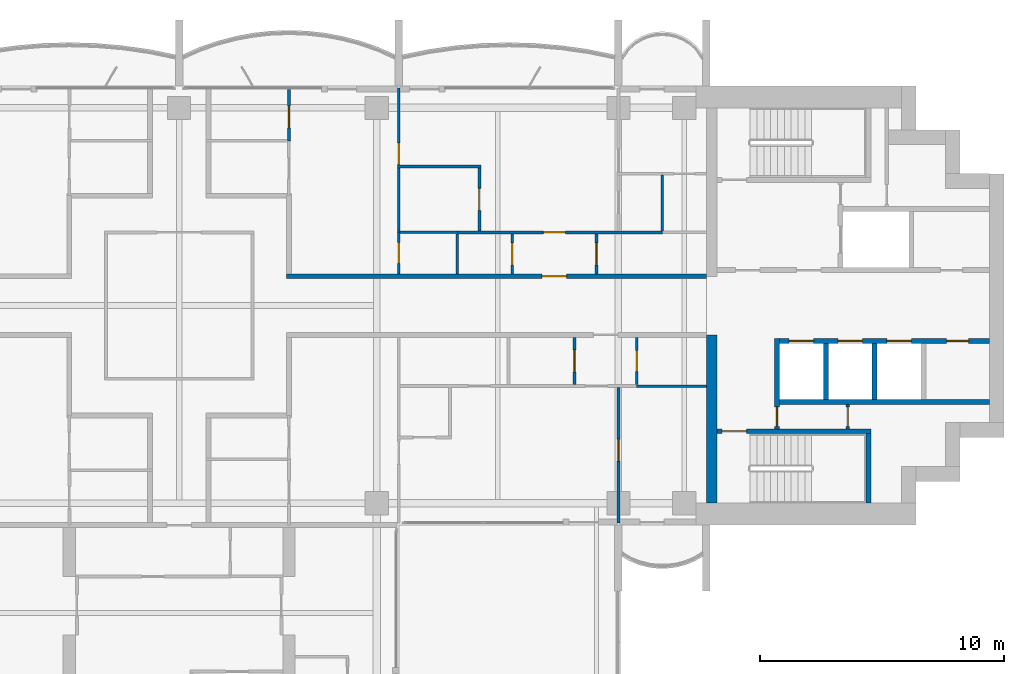
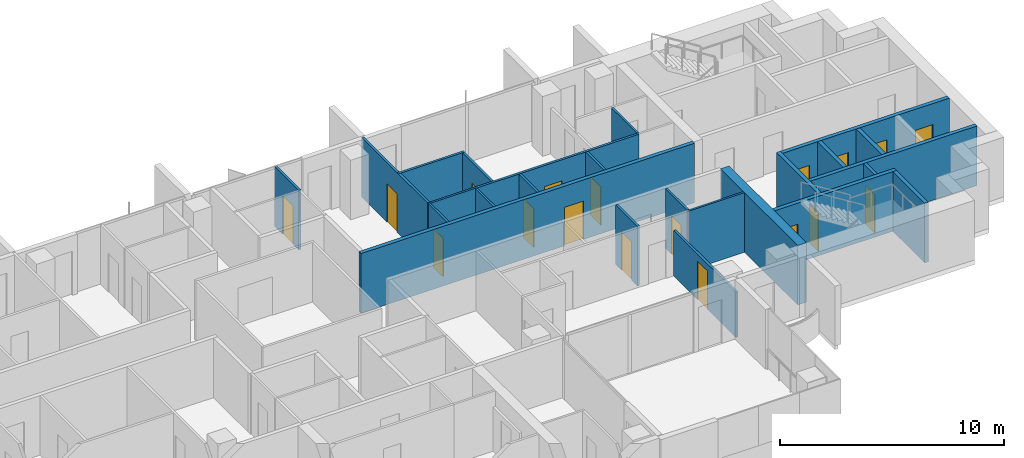
# One storey, part 12 of 18: 25 walls, 18 doors, 18 openings.
"""IFC4 building model written with IfcOpenShell, lengths in metres."""

from ifc_helpers import new_model, si_unit, direction, frame, frame_2d, origin, place, context, subcontext, project, spatial, rectangle, extrude, material, layer, layer_set, type_object, element, fill, save


model = new_model("IFC4")

# Units and contexts
model_context = context("Model", 3, precision=1e-05, world=origin(), true_north=direction((0.0, 1.0)))
body_context = subcontext(model_context, "Body", "Model", "MODEL_VIEW")
ifc_project = project(units=[si_unit("LENGTHUNIT", "METRE"), si_unit("AREAUNIT", "SQUARE_METRE"), si_unit("VOLUMEUNIT", "CUBIC_METRE"), si_unit("PLANEANGLEUNIT", "RADIAN"), si_unit("MASSUNIT", "GRAM", prefix="KILO")], contexts=[model_context])

# Site, building, storey
site_placement = place(None, origin())
site = spatial("IfcSite", under=ifc_project, at=site_placement, CompositionType="ELEMENT")
building_placement = place(site_placement, origin())
building = spatial("IfcBuilding", under=site, at=building_placement, Name="Perihelion Cross Residences", CompositionType="ELEMENT")
storey_placement = place(building_placement, frame((0.0, 0.0, 173.60009765625)))
storey = spatial("IfcBuildingStorey", under=building, at=storey_placement, Name="L42", CompositionType="ELEMENT", Elevation=173.60009765625)

# Wall, opening, door
ifc_material_1 = material(Name="Plasterboard partition")
ifc_layer_1 = layer(ifc_material_1, 0.199951171875)
ifc_layer_set_1 = layer_set([ifc_layer_1], Name="Apartment separation wall 200")
wall_type_1 = type_object("IfcWallType", Name="Apartment separation wall 200", PredefinedType="PARTITIONING", material=ifc_layer_set_1)
wall_1_placement = place(storey_placement, frame((4.39990234375, 1.199951171875, 0.0), z_axis=(0.0, 0.0, 1.0), x_axis=(1.0, 0.0, 0.0)))
wall_1 = element("IfcWall", 1, at=wall_1_placement, inside=storey, type_object=wall_type_1, Name="Partition L42 W005", PredefinedType="PARTITIONING", context=body_context, shape_type="SweptSolid", body=[
    extrude(rectangle(XDim=17.2001953125, YDim=0.199951171875, at=frame_2d((8.60009765625, 0.0))), origin(), (0.0, 0.0, 1.0), 3.25),
])
opening_1_placement = place(wall_1_placement, frame((10.47509765625, 0.0, 0.0)))
opening_1 = element("IfcOpeningElement", 2, at=opening_1_placement, cuts=wall_1, Name="Opening L42.A45", PredefinedType="OPENING", context=body_context, shape_type="SweptSolid", body=[
    extrude(rectangle(XDim=1.0, YDim=2.10009765625, at=frame_2d((0.5, 1.050048828125))), frame((0.0, 0.10986328125, 0.0), z_axis=(0.0, -1.0, 0.0), x_axis=(1.0, 0.0, 0.0)), (0.0, 0.0, 1.0), 0.219970703125),
])
ifc_material_2 = material(Name="Timber door leaf", Category="wood")
door_type_1 = type_object("IfcDoorType", Name="Flat entrance door 1000 x 2100", OperationType="SINGLE_SWING_LEFT", PredefinedType="DOOR", material=ifc_material_2)
door_1_placement = place(opening_1_placement, origin())
door_1 = element("IfcDoor", 3, at=door_1_placement, inside=storey, type_object=door_type_1, Name="Door L42.A45", OperationType="SINGLE_SWING_RIGHT", OverallHeight=2.10009765625, OverallWidth=1.0, PredefinedType="DOOR", context=body_context, shape_type="SweptSolid", body=[
    extrude(rectangle(XDim=1.0, YDim=2.10009765625, at=frame_2d((0.5, 1.050048828125))), frame((0.0, 0.02490234375, 0.0), z_axis=(0.0, -1.0, 0.0), x_axis=(1.0, 0.0, 0.0)), (0.0, 0.0, 1.0), 0.050048828125),
])
fill(opening_1, door_1)

# Wall
ifc_material_3 = material(Name="Concrete C60/75", Category="concrete")
ifc_layer_2 = layer(ifc_material_3, 0.449951171875)
ifc_layer_set_2 = layer_set([ifc_layer_2], Name="Core wall, inner 450")
wall_type_2 = type_object("IfcWallType", Name="Core wall, inner 450", PredefinedType="SHEAR", material=ifc_layer_set_2)
wall_2_placement = place(storey_placement, frame((21.824951171875, -8.10009765625, 0.0), z_axis=(0.0, 0.0, 1.0), x_axis=(0.0, 1.0, 0.0)))
element("IfcWall", 4, at=wall_2_placement, inside=storey, type_object=wall_type_2, Name="East core core wall, inner", PredefinedType="SHEAR", context=body_context, shape_type="SweptSolid", body=[
    extrude(rectangle(XDim=6.900146484375, YDim=0.449951171875, at=frame_2d((3.4501953125, 0.0))), origin(), (0.0, 0.0, 1.0), 3.25),
])

# Wall, opening, door
ifc_material_4 = material(Name="Concrete C50/60", Category="concrete")
ifc_layer_3 = layer(ifc_material_4, 0.199951171875)
ifc_layer_set_3 = layer_set([ifc_layer_3], Name="Lobby wall 200")
wall_type_3 = type_object("IfcWallType", Name="Lobby wall 200", PredefinedType="SOLIDWALL", material=ifc_layer_set_3)
wall_3_placement = place(storey_placement, frame((24.5, -5.050048828125, 0.0), z_axis=(0.0, 0.0, 1.0), x_axis=(0.0, 1.0, 0.0)))
wall_3 = element("IfcWall", 5, at=wall_3_placement, inside=storey, type_object=wall_type_3, Name="East core lobby wall", PredefinedType="SOLIDWALL", context=body_context, shape_type="SweptSolid", body=[
    extrude(rectangle(XDim=3.699951171875, YDim=0.199951171875, at=frame_2d((1.85009765625, 0.0))), origin(), (0.0, 0.0, 1.0), 3.25),
])
opening_2_placement = place(wall_3_placement, frame((0.10009765625, 0.0, 0.0)))
opening_2 = element("IfcOpeningElement", 6, at=opening_2_placement, cuts=wall_3, Name="Opening L42.C08", PredefinedType="OPENING", context=body_context, shape_type="SweptSolid", body=[
    extrude(rectangle(XDim=0.800048828125, YDim=2.10009765625, at=frame_2d((0.39990234375, 1.050048828125))), frame((0.0, 0.10986328125, 0.0), z_axis=(0.0, -1.0, 0.0), x_axis=(1.0, 0.0, 0.0)), (0.0, 0.0, 1.0), 0.219970703125),
])
ifc_material_5 = material(Name="Steel, powder coated", Category="steel")
door_type_2 = type_object("IfcDoorType", Name="Riser door 800", OperationType="SINGLE_SWING_LEFT", PredefinedType="DOOR", material=ifc_material_5)
door_2_placement = place(opening_2_placement, origin())
door_2 = element("IfcDoor", 7, at=door_2_placement, inside=storey, type_object=door_type_2, Name="East core riser door", OperationType="SINGLE_SWING_LEFT", OverallHeight=2.10009765625, OverallWidth=0.800048828125, PredefinedType="DOOR", context=body_context, shape_type="SweptSolid", body=[
    extrude(rectangle(XDim=0.800048828125, YDim=2.10009765625, at=frame_2d((0.39990234375, 1.050048828125))), frame((0.0, 0.02490234375, 0.0), z_axis=(0.0, -1.0, 0.0), x_axis=(1.0, 0.0, 0.0)), (0.0, 0.0, 1.0), 0.050048828125),
])
fill(opening_2, door_2)

ifc_material_6 = material(Name="Plasterboard partition")
ifc_layer_4 = layer(ifc_material_6, 0.1201171875)
ifc_layer_set_4 = layer_set([ifc_layer_4], Name="Partition wall 120")
wall_type_4 = type_object("IfcWallType", Name="Partition wall 120", PredefinedType="PARTITIONING", material=ifc_layer_set_4)
wall_4_placement = place(storey_placement, frame((13.64990234375, 2.93994140625, 0.0), z_axis=(0.0, 0.0, 1.0), x_axis=(0.0, -1.0, 0.0)))
wall_4 = element("IfcWall", 8, at=wall_4_placement, inside=storey, type_object=wall_type_4, Name="Partition L42 W025", PredefinedType="PARTITIONING", context=body_context, shape_type="SweptSolid", body=[
    extrude(rectangle(XDim=1.639892578125, YDim=0.1201171875, at=frame_2d((0.81982421875, 0.0))), origin(), (0.0, 0.0, 1.0), 3.25),
])
opening_3_placement = place(wall_4_placement, frame((0.3701171875, 0.0, 0.0)))
opening_3 = element("IfcOpeningElement", 9, at=opening_3_placement, cuts=wall_4, Name="Opening L42.A03", PredefinedType="OPENING", context=body_context, shape_type="SweptSolid", body=[
    extrude(rectangle(XDim=0.89990234375, YDim=2.10009765625, at=frame_2d((0.449951171875, 1.050048828125))), frame((0.0, 0.070068359375, 0.0), z_axis=(0.0, -1.0, 0.0), x_axis=(1.0, 0.0, 0.0)), (0.0, 0.0, 1.0), 0.14013671875),
])
ifc_material_7 = material(Name="Timber door leaf", Category="wood")
door_type_3 = type_object("IfcDoorType", Name="Interior room door 900 x 2100", OperationType="SINGLE_SWING_LEFT", PredefinedType="DOOR", material=ifc_material_7)
door_3_placement = place(opening_3_placement, origin())
door_3 = element("IfcDoor", 10, at=door_3_placement, inside=storey, type_object=door_type_3, Name="Door L42.A03", OperationType="SINGLE_SWING_RIGHT", OverallHeight=2.10009765625, OverallWidth=0.89990234375, PredefinedType="DOOR", context=body_context, shape_type="SweptSolid", body=[
    extrude(rectangle(XDim=0.89990234375, YDim=2.10009765625, at=frame_2d((0.449951171875, 1.050048828125))), frame((0.0, 0.02490234375, 0.0), z_axis=(0.0, -1.0, 0.0), x_axis=(1.0, 0.0, 0.0)), (0.0, 0.0, 1.0), 0.050048828125),
])
fill(opening_3, door_3)

wall_5_placement = place(storey_placement, frame((11.39990234375, 3.0, 0.0), z_axis=(0.0, 0.0, 1.0), x_axis=(1.0, 0.0, 0.0)))
wall_5 = element("IfcWall", 11, at=wall_5_placement, inside=storey, type_object=wall_type_4, Name="Partition L42 W026", PredefinedType="PARTITIONING", context=body_context, shape_type="SweptSolid", body=[
    extrude(rectangle(XDim=8.400146484375, YDim=0.1201171875, at=frame_2d((4.2001953125, 0.0))), origin(), (0.0, 0.0, 1.0), 3.25),
])
opening_4_placement = place(wall_5_placement, frame((3.52490234375, 0.0, 0.0)))
opening_4 = element("IfcOpeningElement", 12, at=opening_4_placement, cuts=wall_5, Name="Opening L42.A07", PredefinedType="OPENING", context=body_context, shape_type="SweptSolid", body=[
    extrude(rectangle(XDim=0.89990234375, YDim=2.10009765625, at=frame_2d((0.449951171875, 1.050048828125))), frame((0.0, 0.070068359375, 0.0), z_axis=(0.0, -1.0, 0.0), x_axis=(1.0, 0.0, 0.0)), (0.0, 0.0, 1.0), 0.14013671875),
])
door_4_placement = place(opening_4_placement, origin())
door_4 = element("IfcDoor", 13, at=door_4_placement, inside=storey, type_object=door_type_3, Name="Door L42.A07", OperationType="SINGLE_SWING_LEFT", OverallHeight=2.10009765625, OverallWidth=0.89990234375, PredefinedType="DOOR", context=body_context, shape_type="SweptSolid", body=[
    extrude(rectangle(XDim=0.89990234375, YDim=2.10009765625, at=frame_2d((0.449951171875, 1.050048828125))), frame((0.0, 0.02490234375, 0.0), z_axis=(0.0, -1.0, 0.0), x_axis=(1.0, 0.0, 0.0)), (0.0, 0.0, 1.0), 0.050048828125),
])
fill(opening_4, door_4)

wall_6_placement = place(storey_placement, frame((17.10009765625, 2.93994140625, 0.0), z_axis=(0.0, 0.0, 1.0), x_axis=(0.0, -1.0, 0.0)))
wall_6 = element("IfcWall", 14, at=wall_6_placement, inside=storey, type_object=wall_type_4, Name="Partition L42 W027", PredefinedType="PARTITIONING", context=body_context, shape_type="SweptSolid", body=[
    extrude(rectangle(XDim=1.639892578125, YDim=0.1201171875, at=frame_2d((0.81982421875, 0.0))), origin(), (0.0, 0.0, 1.0), 3.25),
])
opening_5_placement = place(wall_6_placement, frame((0.3701171875, 0.0, 0.0)))
opening_5 = element("IfcOpeningElement", 15, at=opening_5_placement, cuts=wall_6, Name="Opening L42.A04", PredefinedType="OPENING", context=body_context, shape_type="SweptSolid", body=[
    extrude(rectangle(XDim=0.89990234375, YDim=2.10009765625, at=frame_2d((0.449951171875, 1.050048828125))), frame((0.0, 0.070068359375, 0.0), z_axis=(0.0, -1.0, 0.0), x_axis=(1.0, 0.0, 0.0)), (0.0, 0.0, 1.0), 0.14013671875),
])
door_5_placement = place(opening_5_placement, origin())
door_5 = element("IfcDoor", 16, at=door_5_placement, inside=storey, type_object=door_type_3, Name="Door L42.A04", OperationType="SINGLE_SWING_RIGHT", OverallHeight=2.10009765625, OverallWidth=0.89990234375, PredefinedType="DOOR", context=body_context, shape_type="SweptSolid", body=[
    extrude(rectangle(XDim=0.89990234375, YDim=2.10009765625, at=frame_2d((0.449951171875, 1.050048828125))), frame((0.0, 0.02490234375, 0.0), z_axis=(0.0, -1.0, 0.0), x_axis=(1.0, 0.0, 0.0)), (0.0, 0.0, 1.0), 0.050048828125),
])
fill(opening_5, door_5)

wall_7_placement = place(storey_placement, frame((12.300048828125, 3.06005859375, 0.0), z_axis=(0.0, 0.0, 1.0), x_axis=(0.0, 1.0, 0.0)))
wall_7 = element("IfcWall", 17, at=wall_7_placement, inside=storey, type_object=wall_type_4, Name="Partition L42 W029", PredefinedType="PARTITIONING", context=body_context, shape_type="SweptSolid", body=[
    extrude(rectangle(XDim=2.579833984375, YDim=0.1201171875, at=frame_2d((1.2900390625, 0.0))), origin(), (0.0, 0.0, 1.0), 3.25),
])
opening_6_placement = place(wall_7_placement, frame((0.840087890625, 0.0, 0.0)))
opening_6 = element("IfcOpeningElement", 18, at=opening_6_placement, cuts=wall_7, Name="Opening L42.A09", PredefinedType="OPENING", context=body_context, shape_type="SweptSolid", body=[
    extrude(rectangle(XDim=0.89990234375, YDim=2.10009765625, at=frame_2d((0.449951171875, 1.050048828125))), frame((0.0, 0.070068359375, 0.0), z_axis=(0.0, -1.0, 0.0), x_axis=(1.0, 0.0, 0.0)), (0.0, 0.0, 1.0), 0.14013671875),
])
door_6_placement = place(opening_6_placement, origin())
door_6 = element("IfcDoor", 19, at=door_6_placement, inside=storey, type_object=door_type_3, Name="Door L42.A09", OperationType="SINGLE_SWING_LEFT", OverallHeight=2.10009765625, OverallWidth=0.89990234375, PredefinedType="DOOR", context=body_context, shape_type="SweptSolid", body=[
    extrude(rectangle(XDim=0.89990234375, YDim=2.10009765625, at=frame_2d((0.449951171875, 1.050048828125))), frame((0.0, 0.02490234375, 0.0), z_axis=(0.0, -1.0, 0.0), x_axis=(1.0, 0.0, 0.0)), (0.0, 0.0, 1.0), 0.050048828125),
])
fill(opening_6, door_6)

# Wall
wall_8_placement = place(storey_placement, frame((12.360107421875, 5.699951171875, 0.0), z_axis=(0.0, 0.0, 1.0), x_axis=(-1.0, 0.0, 0.0)))
element("IfcWall", 20, at=wall_8_placement, inside=storey, type_object=wall_type_4, Name="Partition L42 W030", PredefinedType="PARTITIONING", context=body_context, shape_type="SweptSolid", body=[
    extrude(rectangle(XDim=3.420166015625, YDim=0.1201171875, at=frame_2d((1.7099609375, 0.0))), origin(), (0.0, 0.0, 1.0), 3.25),
])

# Wall, opening, door
wall_9_placement = place(storey_placement, frame((9.0, 3.0, 0.0), z_axis=(0.0, 0.0, 1.0), x_axis=(0.0, 1.0, 0.0)))
wall_9 = element("IfcWall", 21, at=wall_9_placement, inside=storey, type_object=wall_type_4, Name="Partition L42 W032", PredefinedType="PARTITIONING", context=body_context, shape_type="SweptSolid", body=[
    extrude(rectangle(XDim=5.919921875, YDim=0.1201171875, at=frame_2d((2.9599609375, 0.0))), origin(), (0.0, 0.0, 1.0), 3.25),
])
opening_7_placement = place(wall_9_placement, frame((2.77001953125, 0.0, 0.0)))
opening_7 = element("IfcOpeningElement", 22, at=opening_7_placement, cuts=wall_9, Name="Opening L42.A08", PredefinedType="OPENING", context=body_context, shape_type="SweptSolid", body=[
    extrude(rectangle(XDim=0.89990234375, YDim=2.10009765625, at=frame_2d((0.449951171875, 1.050048828125))), frame((0.0, 0.070068359375, 0.0), z_axis=(0.0, -1.0, 0.0), x_axis=(1.0, 0.0, 0.0)), (0.0, 0.0, 1.0), 0.14013671875),
])
door_7_placement = place(opening_7_placement, origin())
door_7 = element("IfcDoor", 23, at=door_7_placement, inside=storey, type_object=door_type_3, Name="Door L42.A08", OperationType="SINGLE_SWING_RIGHT", OverallHeight=2.10009765625, OverallWidth=0.89990234375, PredefinedType="DOOR", context=body_context, shape_type="SweptSolid", body=[
    extrude(rectangle(XDim=0.89990234375, YDim=2.10009765625, at=frame_2d((0.449951171875, 1.050048828125))), frame((0.0, 0.02490234375, 0.0), z_axis=(0.0, -1.0, 0.0), x_axis=(1.0, 0.0, 0.0)), (0.0, 0.0, 1.0), 0.050048828125),
])
fill(opening_7, door_7)

wall_10_placement = place(storey_placement, frame((4.5, 6.75, 0.0), z_axis=(0.0, 0.0, 1.0), x_axis=(0.0, 1.0, 0.0)))
wall_10 = element("IfcWall", 24, at=wall_10_placement, inside=storey, type_object=wall_type_4, Name="Partition L42 W037", PredefinedType="PARTITIONING", context=body_context, shape_type="SweptSolid", body=[
    extrude(rectangle(XDim=2.169921875, YDim=0.1201171875, at=frame_2d((1.0849609375, 0.0))), origin(), (0.0, 0.0, 1.0), 3.25),
])
opening_8_placement = place(wall_10_placement, frame((0.52490234375, 0.0, 0.0)))
opening_8 = element("IfcOpeningElement", 25, at=opening_8_placement, cuts=wall_10, Name="Opening L42.A06", PredefinedType="OPENING", context=body_context, shape_type="SweptSolid", body=[
    extrude(rectangle(XDim=0.89990234375, YDim=2.10009765625, at=frame_2d((0.449951171875, 1.050048828125))), frame((0.0, 0.070068359375, 0.0), z_axis=(0.0, -1.0, 0.0), x_axis=(1.0, 0.0, 0.0)), (0.0, 0.0, 1.0), 0.14013671875),
])
door_8_placement = place(opening_8_placement, origin())
door_8 = element("IfcDoor", 26, at=door_8_placement, inside=storey, type_object=door_type_3, Name="Door L42.A06", OperationType="SINGLE_SWING_RIGHT", OverallHeight=2.10009765625, OverallWidth=0.89990234375, PredefinedType="DOOR", context=body_context, shape_type="SweptSolid", body=[
    extrude(rectangle(XDim=0.89990234375, YDim=2.10009765625, at=frame_2d((0.449951171875, 1.050048828125))), frame((0.0, 0.02490234375, 0.0), z_axis=(0.0, -1.0, 0.0), x_axis=(1.0, 0.0, 0.0)), (0.0, 0.0, 1.0), 0.050048828125),
])
fill(opening_8, door_8)

wall_11_placement = place(storey_placement, frame((16.199951171875, -1.300048828125, 0.0), z_axis=(0.0, 0.0, 1.0), x_axis=(0.0, -1.0, 0.0)))
wall_11 = element("IfcWall", 27, at=wall_11_placement, inside=storey, type_object=wall_type_4, Name="Partition L42 W042", PredefinedType="PARTITIONING", context=body_context, shape_type="SweptSolid", body=[
    extrude(rectangle(XDim=1.93994140625, YDim=0.1201171875, at=frame_2d((0.969970703125, 0.0))), origin(), (0.0, 0.0, 1.0), 3.25),
])
opening_9_placement = place(wall_11_placement, frame((0.52001953125, 0.0, 0.0)))
opening_9 = element("IfcOpeningElement", 28, at=opening_9_placement, cuts=wall_11, Name="Opening L42.A15", PredefinedType="OPENING", context=body_context, shape_type="SweptSolid", body=[
    extrude(rectangle(XDim=0.89990234375, YDim=2.10009765625, at=frame_2d((0.449951171875, 1.050048828125))), frame((0.0, 0.070068359375, 0.0), z_axis=(0.0, -1.0, 0.0), x_axis=(1.0, 0.0, 0.0)), (0.0, 0.0, 1.0), 0.14013671875),
])
door_9_placement = place(opening_9_placement, origin())
door_9 = element("IfcDoor", 29, at=door_9_placement, inside=storey, type_object=door_type_3, Name="Door L42.A15", OperationType="SINGLE_SWING_RIGHT", OverallHeight=2.10009765625, OverallWidth=0.89990234375, PredefinedType="DOOR", context=body_context, shape_type="SweptSolid", body=[
    extrude(rectangle(XDim=0.89990234375, YDim=2.10009765625, at=frame_2d((0.449951171875, 1.050048828125))), frame((0.0, 0.02490234375, 0.0), z_axis=(0.0, -1.0, 0.0), x_axis=(1.0, 0.0, 0.0)), (0.0, 0.0, 1.0), 0.050048828125),
])
fill(opening_9, door_9)

wall_12_placement = place(storey_placement, frame((18.0, -3.360107421875, 0.0), z_axis=(0.0, 0.0, 1.0), x_axis=(0.0, -1.0, 0.0)))
wall_12 = element("IfcWall", 30, at=wall_12_placement, inside=storey, type_object=wall_type_4, Name="Partition L42 W047", PredefinedType="PARTITIONING", context=body_context, shape_type="SweptSolid", body=[
    extrude(rectangle(XDim=5.559814453125, YDim=0.1201171875, at=frame_2d((2.77978515625, 0.0))), origin(), (0.0, 0.0, 1.0), 2.47998046875),
])
opening_10_placement = place(wall_12_placement, frame((2.1201171875, 0.0, 0.0)))
opening_10 = element("IfcOpeningElement", 31, at=opening_10_placement, cuts=wall_12, Name="Opening L42.A14", PredefinedType="OPENING", context=body_context, shape_type="SweptSolid", body=[
    extrude(rectangle(XDim=0.89990234375, YDim=2.10009765625, at=frame_2d((0.449951171875, 1.050048828125))), frame((0.0, 0.070068359375, 0.0), z_axis=(0.0, -1.0, 0.0), x_axis=(1.0, 0.0, 0.0)), (0.0, 0.0, 1.0), 0.14013671875),
])
door_10_placement = place(opening_10_placement, origin())
door_10 = element("IfcDoor", 32, at=door_10_placement, inside=storey, type_object=door_type_3, Name="Door L42.A14", OperationType="SINGLE_SWING_LEFT", OverallHeight=2.10009765625, OverallWidth=0.89990234375, PredefinedType="DOOR", context=body_context, shape_type="SweptSolid", body=[
    extrude(rectangle(XDim=0.89990234375, YDim=2.10009765625, at=frame_2d((0.449951171875, 1.050048828125))), frame((0.0, 0.02490234375, 0.0), z_axis=(0.0, -1.0, 0.0), x_axis=(1.0, 0.0, 0.0)), (0.0, 0.0, 1.0), 0.050048828125),
])
fill(opening_10, door_10)

ifc_material_8 = material(Name="Fire-rated board on steel stud", Category="steel")
ifc_layer_5 = layer(ifc_material_8, 0.14990234375)
ifc_layer_set_5 = layer_set([ifc_layer_5], Name="Riser wall 150")
wall_type_5 = type_object("IfcWallType", Name="Riser wall 150", PredefinedType="PARTITIONING", material=ifc_layer_set_5)
wall_13_placement = place(storey_placement, frame((27.39990234375, -5.050048828125, 0.0), z_axis=(0.0, 0.0, 1.0), x_axis=(0.0, 1.0, 0.0)))
wall_13 = element("IfcWall", 33, at=wall_13_placement, inside=storey, type_object=wall_type_5, Name="East core riser wall", PredefinedType="PARTITIONING", context=body_context, shape_type="SweptSolid", body=[
    extrude(rectangle(XDim=1.0, YDim=0.14990234375, at=frame_2d((0.5, 0.0))), origin(), (0.0, 0.0, 1.0), 3.25),
])
opening_11_placement = place(wall_13_placement, frame((0.10009765625, 0.0, 0.0)))
opening_11 = element("IfcOpeningElement", 34, at=opening_11_placement, cuts=wall_13, Name="Opening L42.C11", PredefinedType="OPENING", context=body_context, shape_type="SweptSolid", body=[
    extrude(rectangle(XDim=0.800048828125, YDim=2.10009765625, at=frame_2d((0.39990234375, 1.050048828125))), frame((0.0, 0.0849609375, 0.0), z_axis=(0.0, -1.0, 0.0), x_axis=(1.0, 0.0, 0.0)), (0.0, 0.0, 1.0), 0.169921875),
])
door_11_placement = place(opening_11_placement, origin())
door_11 = element("IfcDoor", 35, at=door_11_placement, inside=storey, type_object=door_type_2, Name="East core riser door", OperationType="SINGLE_SWING_LEFT", OverallHeight=2.10009765625, OverallWidth=0.800048828125, PredefinedType="DOOR", context=body_context, shape_type="SweptSolid", body=[
    extrude(rectangle(XDim=0.800048828125, YDim=2.10009765625, at=frame_2d((0.39990234375, 1.050048828125))), frame((0.0, 0.02490234375, 0.0), z_axis=(0.0, -1.0, 0.0), x_axis=(1.0, 0.0, 0.0)), (0.0, 0.0, 1.0), 0.050048828125),
])
fill(opening_11, door_11)

# Wall, openings, doors
ifc_material_9 = material(Name="Concrete C50/60", Category="concrete")
ifc_layer_6 = layer(ifc_material_9, 0.199951171875)
ifc_layer_set_6 = layer_set([ifc_layer_6], Name="Shaft wall 200")
wall_type_6 = type_object("IfcWallType", Name="Shaft wall 200", PredefinedType="SOLIDWALL", material=ifc_layer_set_6)
wall_14_placement = place(storey_placement, frame((24.60009765625, -1.449951171875, 0.0), z_axis=(0.0, 0.0, 1.0), x_axis=(1.0, 0.0, 0.0)))
wall_14 = element("IfcWall", 36, at=wall_14_placement, inside=storey, type_object=wall_type_6, Name="East core shaft wall", PredefinedType="SOLIDWALL", context=body_context, shape_type="SweptSolid", body=[
    extrude(rectangle(XDim=8.599853515625, YDim=0.199951171875, at=frame_2d((4.2998046875, 0.0))), origin(), (0.0, 0.0, 1.0), 3.25),
])
opening_12_placement = place(wall_14_placement, frame((0.39990234375, 0.0, 0.0)))
opening_12 = element("IfcOpeningElement", 37, at=opening_12_placement, cuts=wall_14, Name="Opening L42.C01", PredefinedType="OPENING", context=body_context, shape_type="SweptSolid", body=[
    extrude(rectangle(XDim=1.0, YDim=2.10009765625, at=frame_2d((0.5, 1.050048828125))), frame((0.0, 0.10986328125, 0.0), z_axis=(0.0, -1.0, 0.0), x_axis=(1.0, 0.0, 0.0)), (0.0, 0.0, 1.0), 0.219970703125),
])
opening_13_placement = place(wall_14_placement, frame((2.39990234375, 0.0, 0.0)))
opening_13 = element("IfcOpeningElement", 38, at=opening_13_placement, cuts=wall_14, Name="Opening L42.C03", PredefinedType="OPENING", context=body_context, shape_type="SweptSolid", body=[
    extrude(rectangle(XDim=1.0, YDim=2.10009765625, at=frame_2d((0.5, 1.050048828125))), frame((0.0, 0.10986328125, 0.0), z_axis=(0.0, -1.0, 0.0), x_axis=(1.0, 0.0, 0.0)), (0.0, 0.0, 1.0), 0.219970703125),
])
opening_14_placement = place(wall_14_placement, frame((4.39990234375, 0.0, 0.0)))
opening_14 = element("IfcOpeningElement", 39, at=opening_14_placement, cuts=wall_14, Name="Opening L42.C04", PredefinedType="OPENING", context=body_context, shape_type="SweptSolid", body=[
    extrude(rectangle(XDim=1.0, YDim=2.10009765625, at=frame_2d((0.5, 1.050048828125))), frame((0.0, 0.10986328125, 0.0), z_axis=(0.0, -1.0, 0.0), x_axis=(1.0, 0.0, 0.0)), (0.0, 0.0, 1.0), 0.219970703125),
])
opening_15_placement = place(wall_14_placement, frame((6.85009765625, 0.0, 0.0)))
opening_15 = element("IfcOpeningElement", 40, at=opening_15_placement, cuts=wall_14, Name="Opening L42.C14", PredefinedType="OPENING", context=body_context, shape_type="SweptSolid", body=[
    extrude(rectangle(XDim=0.89990234375, YDim=2.10009765625, at=frame_2d((0.449951171875, 1.050048828125))), frame((0.0, 0.10986328125, 0.0), z_axis=(0.0, -1.0, 0.0), x_axis=(1.0, 0.0, 0.0)), (0.0, 0.0, 1.0), 0.219970703125),
])
ifc_material_10 = material(Name="Stainless steel", Category="steel")
door_type_4 = type_object("IfcDoorType", Name="Landing door 1000", OperationType="DOUBLE_DOOR_SLIDING", PredefinedType="DOOR", material=ifc_material_10)
door_12_placement = place(opening_12_placement, origin())
door_12 = element("IfcDoor", 41, at=door_12_placement, inside=storey, type_object=door_type_4, Name="Landing door, East core high-rise lift 1", OperationType="DOUBLE_DOOR_SLIDING", OverallHeight=2.10009765625, OverallWidth=1.0, PredefinedType="DOOR", context=body_context, shape_type="SweptSolid", body=[
    extrude(rectangle(XDim=1.0, YDim=2.10009765625, at=frame_2d((0.5, 1.050048828125))), frame((0.0, 0.02490234375, 0.0), z_axis=(0.0, -1.0, 0.0), x_axis=(1.0, 0.0, 0.0)), (0.0, 0.0, 1.0), 0.050048828125),
])
fill(opening_12, door_12)
door_13_placement = place(opening_13_placement, origin())
door_13 = element("IfcDoor", 42, at=door_13_placement, inside=storey, type_object=door_type_4, Name="Landing door, East core high-rise lift 2", OperationType="DOUBLE_DOOR_SLIDING", OverallHeight=2.10009765625, OverallWidth=1.0, PredefinedType="DOOR", context=body_context, shape_type="SweptSolid", body=[
    extrude(rectangle(XDim=1.0, YDim=2.10009765625, at=frame_2d((0.5, 1.050048828125))), frame((0.0, 0.02490234375, 0.0), z_axis=(0.0, -1.0, 0.0), x_axis=(1.0, 0.0, 0.0)), (0.0, 0.0, 1.0), 0.050048828125),
])
fill(opening_13, door_13)
door_14_placement = place(opening_14_placement, origin())
door_14 = element("IfcDoor", 43, at=door_14_placement, inside=storey, type_object=door_type_4, Name="Landing door, East core high-rise lift 3", OperationType="DOUBLE_DOOR_SLIDING", OverallHeight=2.10009765625, OverallWidth=1.0, PredefinedType="DOOR", context=body_context, shape_type="SweptSolid", body=[
    extrude(rectangle(XDim=1.0, YDim=2.10009765625, at=frame_2d((0.5, 1.050048828125))), frame((0.0, 0.02490234375, 0.0), z_axis=(0.0, -1.0, 0.0), x_axis=(1.0, 0.0, 0.0)), (0.0, 0.0, 1.0), 0.050048828125),
])
fill(opening_14, door_14)
ifc_material_11 = material(Name="Steel, powder coated", Category="steel")
door_type_5 = type_object("IfcDoorType", Name="Service room door 900", OperationType="SINGLE_SWING_LEFT", PredefinedType="DOOR", material=ifc_material_11)
door_15_placement = place(opening_15_placement, origin())
door_15 = element("IfcDoor", 44, at=door_15_placement, inside=storey, type_object=door_type_5, Name="East core service room door", OperationType="SINGLE_SWING_LEFT", OverallHeight=2.10009765625, OverallWidth=0.89990234375, PredefinedType="DOOR", context=body_context, shape_type="SweptSolid", body=[
    extrude(rectangle(XDim=0.89990234375, YDim=2.10009765625, at=frame_2d((0.449951171875, 1.050048828125))), frame((0.0, 0.02490234375, 0.0), z_axis=(0.0, -1.0, 0.0), x_axis=(1.0, 0.0, 0.0)), (0.0, 0.0, 1.0), 0.050048828125),
])
fill(opening_15, door_15)

# Walls
wall_15_placement = place(storey_placement, frame((24.60009765625, -3.949951171875, 0.0), z_axis=(0.0, 0.0, 1.0), x_axis=(1.0, 0.0, 0.0)))
element("IfcWall", 45, at=wall_15_placement, inside=storey, type_object=wall_type_6, Name="East core shaft wall", PredefinedType="SOLIDWALL", context=body_context, shape_type="SweptSolid", body=[
    extrude(rectangle(XDim=8.599853515625, YDim=0.199951171875, at=frame_2d((4.2998046875, 0.0))), origin(), (0.0, 0.0, 1.0), 3.25),
])
for number, where, z_axis, x_axis, name in (
    (46, (26.5, -3.85009765625, 0.0), (0.0, 0.0, 1.0), (0.0, 1.0, 0.0), "East core shaft wall"),
    (47, (28.5, -3.85009765625, 0.0), (0.0, 0.0, 1.0), (0.0, 1.0, 0.0), "East core shaft wall"),
):
    element("IfcWall", number, at=place(storey_placement, frame(where, z_axis=z_axis, x_axis=x_axis)), inside=storey, type_object=wall_type_6, Name=name, PredefinedType="SOLIDWALL", context=body_context, shape_type="SweptSolid", body=[
        extrude(rectangle(XDim=2.300048828125, YDim=0.199951171875, at=frame_2d((1.14990234375, 0.0))), origin(), (0.0, 0.0, 1.0), 3.25),
    ])

# Wall, opening, door
ifc_material_12 = material(Name="Concrete C50/60", Category="concrete")
ifc_layer_7 = layer(ifc_material_12, 0.199951171875)
ifc_layer_set_7 = layer_set([ifc_layer_7], Name="Stair wall 200")
wall_type_7 = type_object("IfcWallType", Name="Stair wall 200", PredefinedType="SOLIDWALL", material=ifc_layer_set_7)
wall_16_placement = place(storey_placement, frame((22.050048828125, -5.14990234375, 0.0), z_axis=(0.0, 0.0, 1.0), x_axis=(1.0, 0.0, 0.0)))
wall_16 = element("IfcWall", 48, at=wall_16_placement, inside=storey, type_object=wall_type_7, Name="East core stair wall", PredefinedType="SOLIDWALL", context=body_context, shape_type="SweptSolid", body=[
    extrude(rectangle(XDim=6.300048828125, YDim=0.199951171875, at=frame_2d((3.14990234375, 0.0))), origin(), (0.0, 0.0, 1.0), 3.25),
])
opening_16_placement = place(wall_16_placement, frame((0.199951171875, 0.0, 0.0)))
opening_16 = element("IfcOpeningElement", 49, at=opening_16_placement, cuts=wall_16, Name="Opening L42.C05", PredefinedType="OPENING", context=body_context, shape_type="SweptSolid", body=[
    extrude(rectangle(XDim=1.0, YDim=2.10009765625, at=frame_2d((0.5, 1.050048828125))), frame((0.0, 0.10986328125, 0.0), z_axis=(0.0, -1.0, 0.0), x_axis=(1.0, 0.0, 0.0)), (0.0, 0.0, 1.0), 0.219970703125),
])
ifc_material_13 = material(Name="Steel, powder coated", Category="steel")
door_type_6 = type_object("IfcDoorType", Name="Stair door 1000", OperationType="SINGLE_SWING_LEFT", PredefinedType="DOOR", material=ifc_material_13)
door_16_placement = place(opening_16_placement, origin())
door_16 = element("IfcDoor", 50, at=door_16_placement, inside=storey, type_object=door_type_6, Name="East core stair door", OperationType="SINGLE_SWING_LEFT", OverallHeight=2.10009765625, OverallWidth=1.0, PredefinedType="DOOR", context=body_context, shape_type="SweptSolid", body=[
    extrude(rectangle(XDim=1.0, YDim=2.10009765625, at=frame_2d((0.5, 1.050048828125))), frame((0.0, 0.02490234375, 0.0), z_axis=(0.0, -1.0, 0.0), x_axis=(1.0, 0.0, 0.0)), (0.0, 0.0, 1.0), 0.050048828125),
])
fill(opening_16, door_16)

# Walls
wall_17_placement = place(storey_placement, frame((28.25, -8.10009765625, 0.0), z_axis=(0.0, 0.0, 1.0), x_axis=(0.0, 1.0, 0.0)))
element("IfcWall", 51, at=wall_17_placement, inside=storey, type_object=wall_type_7, Name="East core stair wall", PredefinedType="SOLIDWALL", context=body_context, shape_type="SweptSolid", body=[
    extrude(rectangle(XDim=2.85009765625, YDim=0.199951171875, at=frame_2d((1.425048828125, 0.0))), origin(), (0.0, 0.0, 1.0), 3.25),
])
ifc_material_14 = material(Name="Plasterboard partition")
ifc_layer_8 = layer(ifc_material_14, 0.10009765625)
ifc_layer_set_8 = layer_set([ifc_layer_8], Name="Wet room wall 100")
wall_type_8 = type_object("IfcWallType", Name="Wet room wall 100", PredefinedType="PARTITIONING", material=ifc_layer_set_8)
wall_18_placement = place(storey_placement, frame((11.39990234375, 2.93994140625, 0.0), z_axis=(0.0, 0.0, 1.0), x_axis=(0.0, -1.0, 0.0)))
element("IfcWall", 52, at=wall_18_placement, inside=storey, type_object=wall_type_8, Name="Partition L42 W022", PredefinedType="PARTITIONING", context=body_context, shape_type="SweptSolid", body=[
    extrude(rectangle(XDim=1.639892578125, YDim=0.10009765625, at=frame_2d((0.81982421875, 0.0))), origin(), (0.0, 0.0, 1.0), 3.25),
])
wall_19_placement = place(storey_placement, frame((8.93994140625, 3.0, 0.0), z_axis=(0.0, 0.0, 1.0), x_axis=(1.0, 0.0, 0.0)))
element("IfcWall", 53, at=wall_19_placement, inside=storey, type_object=wall_type_8, Name="Partition L42 W023", PredefinedType="PARTITIONING", context=body_context, shape_type="SweptSolid", body=[
    extrude(rectangle(XDim=2.4599609375, YDim=0.10009765625, at=frame_2d((1.22998046875, 0.0))), origin(), (0.0, 0.0, 1.0), 3.25),
])

# Wall, opening, door
wall_20_placement = place(storey_placement, frame((9.0, 1.300048828125, 0.0), z_axis=(0.0, 0.0, 1.0), x_axis=(0.0, 1.0, 0.0)))
wall_20 = element("IfcWall", 54, at=wall_20_placement, inside=storey, type_object=wall_type_8, Name="Partition L42 W024", PredefinedType="PARTITIONING", context=body_context, shape_type="SweptSolid", body=[
    extrude(rectangle(XDim=1.699951171875, YDim=0.10009765625, at=frame_2d((0.85009765625, 0.0))), origin(), (0.0, 0.0, 1.0), 3.25),
])
opening_17_placement = place(wall_20_placement, frame((0.425048828125, 0.0, 0.0)))
opening_17 = element("IfcOpeningElement", 55, at=opening_17_placement, cuts=wall_20, Name="Opening L42.A12", PredefinedType="OPENING", context=body_context, shape_type="SweptSolid", body=[
    extrude(rectangle(XDim=0.85009765625, YDim=2.10009765625, at=frame_2d((0.425048828125, 1.050048828125))), frame((0.0, 0.06005859375, 0.0), z_axis=(0.0, -1.0, 0.0), x_axis=(1.0, 0.0, 0.0)), (0.0, 0.0, 1.0), 0.1201171875),
])
ifc_material_15 = material(Name="Timber door leaf", Category="wood")
door_type_7 = type_object("IfcDoorType", Name="Interior bathroom door 850 x 2100", OperationType="SINGLE_SWING_LEFT", PredefinedType="DOOR", material=ifc_material_15)
door_17_placement = place(opening_17_placement, origin())
door_17 = element("IfcDoor", 56, at=door_17_placement, inside=storey, type_object=door_type_7, Name="Door L42.A12", OperationType="SINGLE_SWING_RIGHT", OverallHeight=2.10009765625, OverallWidth=0.85009765625, PredefinedType="DOOR", context=body_context, shape_type="SweptSolid", body=[
    extrude(rectangle(XDim=0.85009765625, YDim=2.10009765625, at=frame_2d((0.425048828125, 1.050048828125))), frame((0.0, 0.02490234375, 0.0), z_axis=(0.0, -1.0, 0.0), x_axis=(1.0, 0.0, 0.0)), (0.0, 0.0, 1.0), 0.050048828125),
])
fill(opening_17, door_17)

# Wall
wall_21_placement = place(storey_placement, frame((19.800048828125, 5.340087890625, 0.0), z_axis=(0.0, 0.0, 1.0), x_axis=(0.0, -1.0, 0.0)))
element("IfcWall", 57, at=wall_21_placement, inside=storey, type_object=wall_type_8, Name="Partition L42 W033", PredefinedType="PARTITIONING", context=body_context, shape_type="SweptSolid", body=[
    extrude(rectangle(XDim=2.280029296875, YDim=0.10009765625, at=frame_2d((1.14013671875, 0.0))), origin(), (0.0, 0.0, 1.0), 3.25),
])

# Wall, opening, door
wall_22_placement = place(storey_placement, frame((18.75, -1.300048828125, 0.0), z_axis=(0.0, 0.0, 1.0), x_axis=(0.0, -1.0, 0.0)))
wall_22 = element("IfcWall", 58, at=wall_22_placement, inside=storey, type_object=wall_type_8, Name="Partition L42 W043", PredefinedType="PARTITIONING", context=body_context, shape_type="SweptSolid", body=[
    extrude(rectangle(XDim=1.93994140625, YDim=0.10009765625, at=frame_2d((0.969970703125, 0.0))), origin(), (0.0, 0.0, 1.0), 3.25),
])
opening_18_placement = place(wall_22_placement, frame((0.544921875, 0.0, 0.0)))
opening_18 = element("IfcOpeningElement", 59, at=opening_18_placement, cuts=wall_22, Name="Opening L42.A13", PredefinedType="OPENING", context=body_context, shape_type="SweptSolid", body=[
    extrude(rectangle(XDim=0.85009765625, YDim=2.10009765625, at=frame_2d((0.425048828125, 1.050048828125))), frame((0.0, 0.06005859375, 0.0), z_axis=(0.0, -1.0, 0.0), x_axis=(1.0, 0.0, 0.0)), (0.0, 0.0, 1.0), 0.1201171875),
])
door_18_placement = place(opening_18_placement, origin())
door_18 = element("IfcDoor", 60, at=door_18_placement, inside=storey, type_object=door_type_7, Name="Door L42.A13", OperationType="SINGLE_SWING_LEFT", OverallHeight=2.10009765625, OverallWidth=0.85009765625, PredefinedType="DOOR", context=body_context, shape_type="SweptSolid", body=[
    extrude(rectangle(XDim=0.85009765625, YDim=2.10009765625, at=frame_2d((0.425048828125, 1.050048828125))), frame((0.0, 0.02490234375, 0.0), z_axis=(0.0, -1.0, 0.0), x_axis=(1.0, 0.0, 0.0)), (0.0, 0.0, 1.0), 0.050048828125),
])
fill(opening_18, door_18)

# Wall
wall_23_placement = place(storey_placement, frame((21.60009765625, -3.300048828125, 0.0), z_axis=(0.0, 0.0, 1.0), x_axis=(-1.0, 0.0, 0.0)))
element("IfcWall", 61, at=wall_23_placement, inside=storey, type_object=wall_type_8, Name="Partition L42 W044", PredefinedType="PARTITIONING", context=body_context, shape_type="SweptSolid", body=[
    extrude(rectangle(XDim=2.85009765625, YDim=0.10009765625, at=frame_2d((1.425048828125, 0.0))), origin(), (0.0, 0.0, 1.0), 3.25),
])

save(model, "model.ifc")
